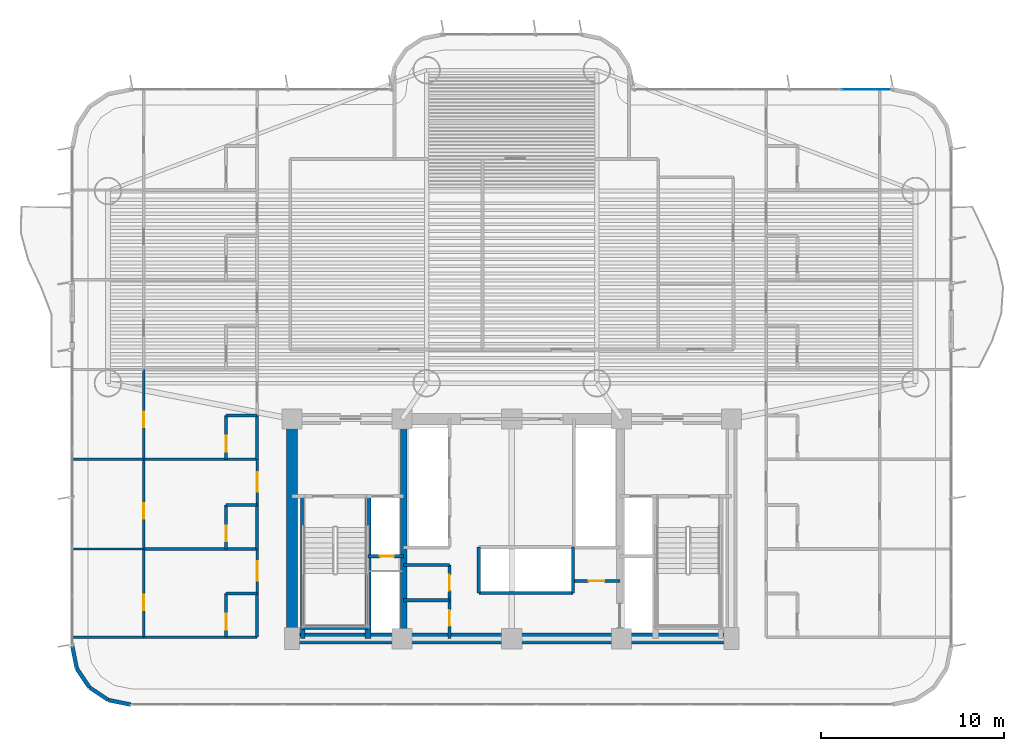
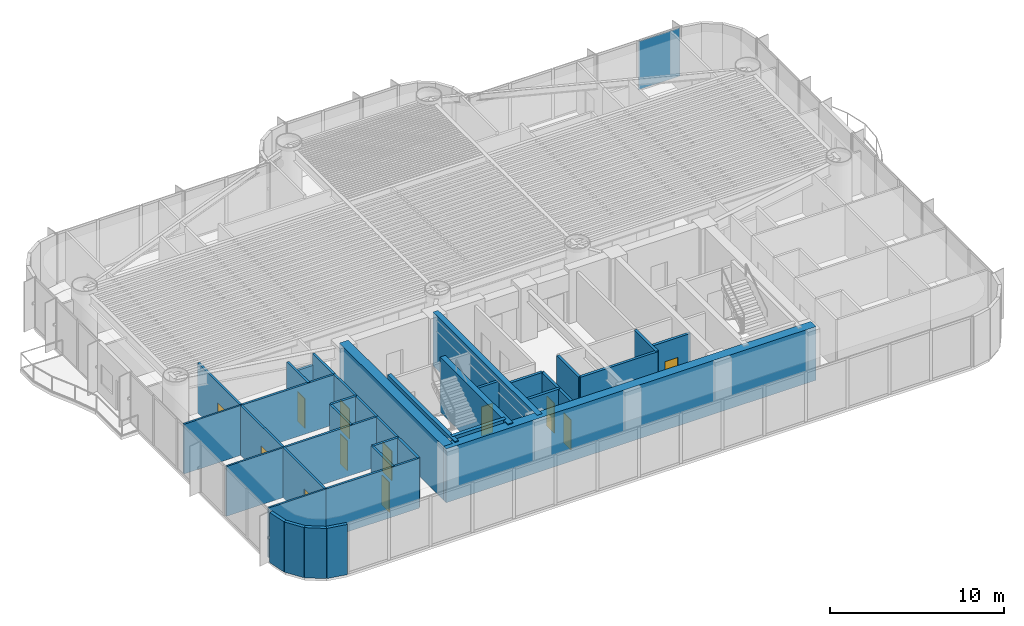
# One storey, part 10 of 19: 38 walls, 12 doors, 1 plate, 12 openings, 1 element without a shape of its own.
"""IFC4 building model written with IfcOpenShell, lengths in metres."""

from ifc_helpers import new_model, si_unit, direction, frame, frame_2d, origin, origin_2d, place, context, subcontext, project, spatial, rectangle, extrude, source, transform, mapped, material, layer, layer_set, type_object, element, fill, aggregate, save


model = new_model("IFC4")

# Units and contexts
model_context = context("Model", 3, precision=1e-05, world=origin(), true_north=direction((0.0, 1.0)))
body_context = subcontext(model_context, "Body", "Model", "MODEL_VIEW")
ifc_project = project(units=[si_unit("LENGTHUNIT", "METRE"), si_unit("AREAUNIT", "SQUARE_METRE"), si_unit("VOLUMEUNIT", "CUBIC_METRE"), si_unit("PLANEANGLEUNIT", "RADIAN"), si_unit("MASSUNIT", "GRAM", prefix="KILO")], contexts=[model_context])

# Site, building, storey
site_placement = place(None, origin())
site = spatial("IfcSite", under=ifc_project, at=site_placement, CompositionType="ELEMENT")
building_placement = place(site_placement, origin())
building = spatial("IfcBuilding", under=site, at=building_placement, Name="Brelvock Crest Care Tower", CompositionType="ELEMENT")
storey_placement = place(building_placement, frame((0.0, 0.0, 68.580078125)))
storey = spatial("IfcBuildingStorey", under=building, at=storey_placement, Name="L17", CompositionType="ELEMENT", Elevation=68.580078125)

# Curtain wall, plate
ifc_material_1 = material(Name="Dark Glass Double Glazed Low-E", Category="glass")
ifc_layer_1 = layer(ifc_material_1, 0.195068359375, Name="CWS-2")
ifc_layer_set_1 = layer_set([ifc_layer_1], Name="Dark Glass Double Glazed Low-E")
curtain_wall_type = type_object("IfcCurtainWallType", Name="CWS-2", PredefinedType="NOTDEFINED", material=ifc_layer_set_1)
curtain_wall_placement = place(storey_placement, origin())
curtain_wall = element("IfcCurtainWall", 1, at=curtain_wall_placement, inside=storey, type_object=curtain_wall_type, Name="L17 Curtain Wall E30", PredefinedType="NOTDEFINED")
ifc_layer_2 = layer(ifc_material_1, 0.031982421875, Name="CWP-V1")
ifc_layer_set_2 = layer_set([ifc_layer_2], Name="Dark Glass Double Glazed Low-E")
plate_type = type_object("IfcPlateType", Name="CWP-V1", PredefinedType="CURTAIN_PANEL", material=ifc_layer_set_2)
shared_shape_1 = source(origin(), body_context, "Body", "SweptSolid", [
    extrude(rectangle(XDim=2.742431640625, YDim=0.035888671875, at=origin_2d()), origin(), (0.0, 0.0, 1.0), 3.39990234375),
])
plate_placement = place(storey_placement, frame((55.36376953125, 36.0, 0.06494140625), z_axis=(0.0, 0.0, 1.0), x_axis=(1.0, 0.0, 0.0)))
plate = element("IfcPlate", 2, at=plate_placement, type_object=plate_type, Name="CW-2 panel 5.1", PredefinedType="CURTAIN_PANEL", context=body_context, shape_type="MappedRepresentation", body=[
    mapped(shared_shape_1, transform((0.0, 0.0, 0.0), x_axis=(1.0, 0.0, 0.0), y_axis=(0.0, 1.0, 0.0), z_axis=(0.0, 0.0, 1.0), scale=1.0)),
])
aggregate(curtain_wall, [plate])

# Walls
ifc_material_2 = material(Name="Concrete S80 (80 MPa)", Category="concrete")
ifc_layer_3 = layer(ifc_material_2, 0.60009765625, Name="WL-CS1")
ifc_layer_set_3 = layer_set([ifc_layer_3], Name="Concrete S80 (80 MPa)")
wall_type_1 = type_object("IfcWallType", Name="WL-CS1", PredefinedType="SHEAR", material=ifc_layer_set_3)
wall_1_placement = place(storey_placement, frame((48.300048828125, 6.0, 0.0), z_axis=(0.0, 0.0, 1.0), x_axis=(-1.0, 0.0, 0.0)))
element("IfcWall", 3, at=wall_1_placement, inside=storey, type_object=wall_type_1, Name="L17 Core South Shear Wall", PredefinedType="SHEAR", context=body_context, shape_type="SweptSolid", body=[
    extrude(rectangle(XDim=24.60009765625, YDim=0.60009765625, at=frame_2d((12.300048828125, 0.0))), origin(), (0.0, 0.0, 1.0), 3.780029296875),
])
wall_2_placement = place(storey_placement, frame((24.0, 6.0, 0.0), z_axis=(0.0, 0.0, 1.0), x_axis=(0.0, 1.0, 0.0)))
element("IfcWall", 4, at=wall_2_placement, inside=storey, type_object=wall_type_1, Name="L17 Core West Shear Wall", PredefinedType="SHEAR", context=body_context, shape_type="SweptSolid", body=[
    extrude(rectangle(XDim=12.0, YDim=0.60009765625, at=frame_2d((6.0, 0.0))), origin(), (0.0, 0.0, 1.0), 3.780029296875),
])
ifc_layer_4 = layer(ifc_material_2, 0.35009765625, Name="WL-CS5")
ifc_layer_set_4 = layer_set([ifc_layer_4], Name="Concrete S80 (80 MPa)")
wall_type_2 = type_object("IfcWallType", Name="WL-CS5", PredefinedType="SHEAR", material=ifc_layer_set_4)
wall_3_placement = place(storey_placement, frame((30.10009765625, 6.0, 0.0), z_axis=(0.0, 0.0, 1.0), x_axis=(0.0, 1.0, 0.0)))
element("IfcWall", 5, at=wall_3_placement, inside=storey, type_object=wall_type_2, Name="L17 Core Internal Web Wall West", PredefinedType="SHEAR", context=body_context, shape_type="SweptSolid", body=[
    extrude(rectangle(XDim=12.0, YDim=0.35009765625, at=frame_2d((6.0, 0.0))), origin(), (0.0, 0.0, 1.0), 3.780029296875),
])
wall_4_placement = place(storey_placement, frame((28.14990234375, 6.0, 0.0), z_axis=(0.0, 0.0, 1.0), x_axis=(0.0, 1.0, 0.0)))
element("IfcWall", 6, at=wall_4_placement, inside=storey, type_object=wall_type_2, Name="L17 Core Stair ST-1 East Shear Wall", PredefinedType="SHEAR", context=body_context, shape_type="SweptSolid", body=[
    extrude(rectangle(XDim=7.780029296875, YDim=0.35009765625, at=frame_2d((3.89013671875, 0.0))), origin(), (0.0, 0.0, 1.0), 3.849853515625),
])
ifc_layer_5 = layer(ifc_material_2, 0.25, Name="WL-CS6")
ifc_layer_set_5 = layer_set([ifc_layer_5], Name="Concrete S80 (80 MPa)")
wall_type_3 = type_object("IfcWallType", Name="WL-CS6", PredefinedType="SHEAR", material=ifc_layer_set_5)
wall_5_placement = place(storey_placement, frame((24.580078125, 6.0, 0.0), z_axis=(0.0, 0.0, 1.0), x_axis=(0.0, 1.0, 0.0)))
element("IfcWall", 7, at=wall_5_placement, inside=storey, type_object=wall_type_3, Name="L17 Core Stair ST-1 West Shear Wall", PredefinedType="SHEAR", context=body_context, shape_type="SweptSolid", body=[
    extrude(rectangle(XDim=7.780029296875, YDim=0.25, at=frame_2d((3.89013671875, 0.0))), origin(), (0.0, 0.0, 1.0), 3.849853515625),
])
wall_6_placement = place(storey_placement, frame((24.580078125, 6.6201171875, 0.0), z_axis=(0.0, 0.0, 1.0), x_axis=(1.0, 0.0, 0.0)))
element("IfcWall", 8, at=wall_6_placement, inside=storey, type_object=wall_type_3, Name="L17 Core Stair ST-1 South Shear Wall", PredefinedType="SHEAR", context=body_context, shape_type="SweptSolid", body=[
    extrude(rectangle(XDim=3.56982421875, YDim=0.25, at=frame_2d((1.784912109375, 0.0))), origin(), (0.0, 0.0, 1.0), 3.849853515625),
])
ifc_material_3 = material(Name="Precast concrete N40 (40 MPa)", Category="concrete")
ifc_layer_6 = layer(ifc_material_3, 0.215087890625, Name="WL-EX2")
ifc_layer_set_6 = layer_set([ifc_layer_6], Name="Precast concrete N40 (40 MPa)")
wall_type_4 = type_object("IfcWallType", Name="WL-EX2", PredefinedType="SOLIDWALL", material=ifc_layer_set_6)
for number, where, z_axis, x_axis, name in (
    (9, (15.199951171875, 2.39990234375, 0.0), (0.0, 0.0, 1.0), (-0.980775717779, 0.195138390419, 0.0), "L17 Rounded Corner Wall 09"),
    (10, (13.975341796875, 2.6435546875, 0.0), (0.0, 0.0, 1.0), (-0.831387912822, 0.555692485475, 0.0), "L17 Rounded Corner Wall 10"),
    (11, (12.937255859375, 3.33740234375, 0.0), (0.0, 0.0, 1.0), (-0.555557312883, 0.831478245117, 0.0), "L17 Rounded Corner Wall 11"),
    (12, (12.24365234375, 4.37548828125, 0.0), (0.0, 0.0, 1.0), (-0.195138390419, 0.980775717779, 0.0), "L17 Rounded Corner Wall 12"),
):
    element("IfcWall", number, at=place(storey_placement, frame(where, z_axis=z_axis, x_axis=x_axis)), inside=storey, type_object=wall_type_4, Name=name, PredefinedType="SOLIDWALL", context=body_context, shape_type="SweptSolid", body=[
        extrude(rectangle(XDim=1.24853515625, YDim=0.215087890625, at=frame_2d((0.624267578125, 0.0))), origin(), (0.0, 0.0, 1.0), 3.530029296875),
    ])
ifc_material_4 = material(Name="Masonry Blockwork Acoustic Partition", Category="masonry")
ifc_layer_7 = layer(ifc_material_4, 0.14990234375, Name="WL-INT1")
ifc_layer_set_7 = layer_set([ifc_layer_7], Name="Masonry Blockwork Acoustic Partition")
wall_type_5 = type_object("IfcWallType", Name="WL-INT1", PredefinedType="PARTITIONING", material=ifc_layer_set_7)
for number, where, z_axis, x_axis, name in (
    (13, (15.89990234375, 6.080078125, 0.0), (0.0, 0.0, 1.0), (1.0, 0.0, 0.0), "L17 Interior Wall WL-BX-L17-CS-WC1-S"),
    (14, (15.89990234375, 10.89990234375, 0.0), (0.0, 0.0, 1.0), (1.0, 0.0, 0.0), "L17 Interior Wall WL-BX-L17-CS-WC1-N"),
    (15, (15.89990234375, 15.800048828125, 0.0), (0.0, 0.0, 1.0), (1.0, 0.0, 0.0), "L17 Interior Wall WL-BX-L17-CS-WC2-N"),
):
    element("IfcWall", number, at=place(storey_placement, frame(where, z_axis=z_axis, x_axis=x_axis)), inside=storey, type_object=wall_type_5, Name=name, PredefinedType="PARTITIONING", context=body_context, shape_type="SweptSolid", body=[
        extrude(rectangle(XDim=6.2001953125, YDim=0.14990234375, at=frame_2d((3.10009765625, 0.0))), origin(), (0.0, 0.0, 1.0), 3.5),
    ])

# Wall, opening, door
wall_7_placement = place(storey_placement, frame((15.89990234375, 6.080078125, 0.0), z_axis=(0.0, 0.0, 1.0), x_axis=(0.0, 1.0, 0.0)))
wall_7 = element("IfcWall", 16, at=wall_7_placement, inside=storey, type_object=wall_type_5, Name="L17 Interior Wall WL-RM-L17-WC1S", PredefinedType="PARTITIONING", context=body_context, shape_type="SweptSolid", body=[
    extrude(rectangle(XDim=4.81982421875, YDim=0.14990234375, at=frame_2d((2.409912109375, 0.0))), origin(), (0.0, 0.0, 1.0), 3.5),
])
opening_1_placement = place(wall_7_placement, frame((1.4599609375, 0.0, 0.0)))
opening_1 = element("IfcOpeningElement", 17, at=opening_1_placement, cuts=wall_7, Name="Opening ID-1", PredefinedType="OPENING", context=body_context, shape_type="SweptSolid", body=[
    extrude(rectangle(XDim=0.860107421875, YDim=2.10009765625, at=origin_2d()), frame((0.43017578125, 0.0849609375, 1.050048828125), z_axis=(0.0, -1.0, 0.0), x_axis=(1.0, 0.0, 0.0)), (0.0, 0.0, 1.0), 0.169921875),
])
ifc_material_5 = material(Name="Engineered Hardwood Timber", Category="wood")
door_type_1 = type_object("IfcDoorType", Name="DR-INT1", OperationType="NOTDEFINED", PredefinedType="DOOR", material=ifc_material_5)
shared_shape_2 = source(origin(), body_context, "Body", "SweptSolid", [
    extrude(rectangle(XDim=0.860107421875, YDim=2.10009765625, at=origin_2d()), frame((0.43017578125, 0.02490234375, 1.050048828125), z_axis=(0.0, -1.0, 0.0), x_axis=(1.0, 0.0, 0.0)), (0.0, 0.0, 1.0), 0.050048828125),
])
door_1_placement = place(opening_1_placement, origin())
door_1 = element("IfcDoor", 18, at=door_1_placement, inside=storey, type_object=door_type_1, Name="L17 Skilled Nursing Mobility Store Door WC1S", OperationType="SINGLE_SWING_LEFT", OverallHeight=2.10009765625, OverallWidth=0.860107421875, PredefinedType="DOOR", context=body_context, shape_type="MappedRepresentation", body=[
    mapped(shared_shape_2, transform((0.0, 0.0, 0.0), x_axis=(1.0, 0.0, 0.0), y_axis=(0.0, 1.0, 0.0), z_axis=(0.0, 0.0, 1.0), scale=1.0)),
])
fill(opening_1, door_1)

wall_8_placement = place(storey_placement, frame((15.89990234375, 10.89990234375, 0.0), z_axis=(0.0, 0.0, 1.0), x_axis=(0.0, 1.0, 0.0)))
wall_8 = element("IfcWall", 19, at=wall_8_placement, inside=storey, type_object=wall_type_5, Name="L17 Interior Wall WL-RM-L17-WC2S", PredefinedType="PARTITIONING", context=body_context, shape_type="SweptSolid", body=[
    extrude(rectangle(XDim=4.900146484375, YDim=0.14990234375, at=frame_2d((2.4501953125, 0.0))), origin(), (0.0, 0.0, 1.0), 3.5),
])
opening_2_placement = place(wall_8_placement, frame((1.639892578125, 0.0, 0.0)))
opening_2 = element("IfcOpeningElement", 20, at=opening_2_placement, cuts=wall_8, Name="Opening ID-1", PredefinedType="OPENING", context=body_context, shape_type="SweptSolid", body=[
    extrude(rectangle(XDim=0.860107421875, YDim=2.10009765625, at=origin_2d()), frame((0.43017578125, 0.0849609375, 1.050048828125), z_axis=(0.0, -1.0, 0.0), x_axis=(1.0, 0.0, 0.0)), (0.0, 0.0, 1.0), 0.169921875),
])
door_2_placement = place(opening_2_placement, origin())
door_2 = element("IfcDoor", 21, at=door_2_placement, inside=storey, type_object=door_type_1, Name="L17 Skilled Nursing Mobility Store Door WC2S", OperationType="SINGLE_SWING_LEFT", OverallHeight=2.10009765625, OverallWidth=0.860107421875, PredefinedType="DOOR", context=body_context, shape_type="MappedRepresentation", body=[
    mapped(shared_shape_2, transform((0.0, 0.0, 0.0), x_axis=(1.0, 0.0, 0.0), y_axis=(0.0, 1.0, 0.0), z_axis=(0.0, 0.0, 1.0), scale=1.0)),
])
fill(opening_2, door_2)

wall_9_placement = place(storey_placement, frame((15.89990234375, 15.800048828125, 0.0), z_axis=(0.0, 0.0, 1.0), x_axis=(0.0, 1.0, 0.0)))
wall_9 = element("IfcWall", 22, at=wall_9_placement, inside=storey, type_object=wall_type_5, Name="L17 Interior Wall WL-RM-L17-WC3S", PredefinedType="PARTITIONING", context=body_context, shape_type="SweptSolid", body=[
    extrude(rectangle(XDim=4.89990234375, YDim=0.14990234375, at=frame_2d((2.449951171875, 0.0))), origin(), (0.0, 0.0, 1.0), 3.5),
])
opening_3_placement = place(wall_9_placement, frame((1.739990234375, 0.0, 0.0)))
opening_3 = element("IfcOpeningElement", 23, at=opening_3_placement, cuts=wall_9, Name="Opening ID-1", PredefinedType="OPENING", context=body_context, shape_type="SweptSolid", body=[
    extrude(rectangle(XDim=0.860107421875, YDim=2.10009765625, at=origin_2d()), frame((0.43017578125, 0.0849609375, 1.050048828125), z_axis=(0.0, -1.0, 0.0), x_axis=(1.0, 0.0, 0.0)), (0.0, 0.0, 1.0), 0.169921875),
])
door_3_placement = place(opening_3_placement, origin())
door_3 = element("IfcDoor", 24, at=door_3_placement, inside=storey, type_object=door_type_1, Name="L17 Skilled Nursing Mobility Store Door WC3S", OperationType="SINGLE_SWING_LEFT", OverallHeight=2.10009765625, OverallWidth=0.860107421875, PredefinedType="DOOR", context=body_context, shape_type="MappedRepresentation", body=[
    mapped(shared_shape_2, transform((0.0, 0.0, 0.0), x_axis=(1.0, 0.0, 0.0), y_axis=(0.0, 1.0, 0.0), z_axis=(0.0, 0.0, 1.0), scale=1.0)),
])
fill(opening_3, door_3)

wall_10_placement = place(storey_placement, frame((22.10009765625, 8.47998046875, 0.0), z_axis=(0.0, 0.0, 1.0), x_axis=(0.0, 1.0, 0.0)))
wall_10 = element("IfcWall", 25, at=wall_10_placement, inside=storey, type_object=wall_type_5, Name="L17 Interior Wall WL-CENT-L17-WC1", PredefinedType="PARTITIONING", context=body_context, shape_type="SweptSolid", body=[
    extrude(rectangle(XDim=2.419921875, YDim=0.14990234375, at=frame_2d((1.2099609375, 0.0))), origin(), (0.0, 0.0, 1.0), 3.5),
])
opening_4_placement = place(wall_10_placement, frame((0.68994140625, 0.0, 0.0)))
opening_4 = element("IfcOpeningElement", 26, at=opening_4_placement, cuts=wall_10, Name="Opening CD-1", PredefinedType="OPENING", context=body_context, shape_type="SweptSolid", body=[
    extrude(rectangle(XDim=1.050048828125, YDim=2.10009765625, at=origin_2d()), frame((0.52490234375, 0.0849609375, 1.050048828125), z_axis=(0.0, -1.0, 0.0), x_axis=(1.0, 0.0, 0.0)), (0.0, 0.0, 1.0), 0.169921875),
])
door_type_2 = type_object("IfcDoorType", Name="DR-CARE1", OperationType="NOTDEFINED", PredefinedType="DOOR", material=ifc_material_5)
shared_shape_3 = source(origin(), body_context, "Body", "SweptSolid", [
    extrude(rectangle(XDim=1.050048828125, YDim=2.10009765625, at=origin_2d()), frame((0.52490234375, 0.02490234375, 1.050048828125), z_axis=(0.0, -1.0, 0.0), x_axis=(1.0, 0.0, 0.0)), (0.0, 0.0, 1.0), 0.050048828125),
])
door_4_placement = place(opening_4_placement, origin())
door_4 = element("IfcDoor", 27, at=door_4_placement, inside=storey, type_object=door_type_2, Name="L17 Care Suite Door WC1", OperationType="SINGLE_SWING_LEFT", OverallHeight=2.10009765625, OverallWidth=1.050048828125, PredefinedType="DOOR", context=body_context, shape_type="MappedRepresentation", body=[
    mapped(shared_shape_3, transform((0.0, 0.0, 0.0), x_axis=(1.0, 0.0, 0.0), y_axis=(0.0, 1.0, 0.0), z_axis=(0.0, 0.0, 1.0), scale=1.0)),
])
fill(opening_4, door_4)

wall_11_placement = place(storey_placement, frame((22.10009765625, 13.300048828125, 0.0), z_axis=(0.0, 0.0, 1.0), x_axis=(0.0, 1.0, 0.0)))
wall_11 = element("IfcWall", 28, at=wall_11_placement, inside=storey, type_object=wall_type_5, Name="L17 Interior Wall WL-CENT-L17-WC2", PredefinedType="PARTITIONING", context=body_context, shape_type="SweptSolid", body=[
    extrude(rectangle(XDim=2.5, YDim=0.14990234375, at=frame_2d((1.25, 0.0))), origin(), (0.0, 0.0, 1.0), 3.5),
])
opening_5_placement = place(wall_11_placement, frame((0.72998046875, 0.0, 0.0)))
opening_5 = element("IfcOpeningElement", 29, at=opening_5_placement, cuts=wall_11, Name="Opening CD-1", PredefinedType="OPENING", context=body_context, shape_type="SweptSolid", body=[
    extrude(rectangle(XDim=1.050048828125, YDim=2.10009765625, at=origin_2d()), frame((0.52490234375, 0.0849609375, 1.050048828125), z_axis=(0.0, -1.0, 0.0), x_axis=(1.0, 0.0, 0.0)), (0.0, 0.0, 1.0), 0.169921875),
])
door_5_placement = place(opening_5_placement, origin())
door_5 = element("IfcDoor", 30, at=door_5_placement, inside=storey, type_object=door_type_2, Name="L17 Care Suite Door WC2", OperationType="SINGLE_SWING_LEFT", OverallHeight=2.10009765625, OverallWidth=1.050048828125, PredefinedType="DOOR", context=body_context, shape_type="MappedRepresentation", body=[
    mapped(shared_shape_3, transform((0.0, 0.0, 0.0), x_axis=(1.0, 0.0, 0.0), y_axis=(0.0, 1.0, 0.0), z_axis=(0.0, 0.0, 1.0), scale=1.0)),
])
fill(opening_5, door_5)

# Walls
ifc_material_6 = material(Name="Gypsum Plasterboard Partition", Category="gypsum")
ifc_layer_8 = layer(ifc_material_6, 0.1201171875, Name="WL-INT2")
ifc_layer_set_8 = layer_set([ifc_layer_8], Name="Gypsum Plasterboard Partition")
wall_type_6 = type_object("IfcWallType", Name="WL-INT2", PredefinedType="PARTITIONING", material=ifc_layer_set_8)
for number, where, z_axis, x_axis, name in (
    (31, (12.080078125, 6.080078125, 0.0), (0.0, 0.0, 1.0), (1.0, 0.0, 0.0), "L17 Interior Wall WL-BX-L17-WC1S-S"),
    (32, (12.080078125, 10.89990234375, 0.0), (0.0, 0.0, 1.0), (1.0, 0.0, 0.0), "L17 Interior Wall WL-BX-L17-WC1S-N"),
    (33, (12.080078125, 15.800048828125, 0.0), (0.0, 0.0, 1.0), (1.0, 0.0, 0.0), "L17 Interior Wall WL-BX-L17-WC2S-N"),
):
    element("IfcWall", number, at=place(storey_placement, frame(where, z_axis=z_axis, x_axis=x_axis)), inside=storey, type_object=wall_type_6, Name=name, PredefinedType="PARTITIONING", context=body_context, shape_type="SweptSolid", body=[
        extrude(rectangle(XDim=3.81982421875, YDim=0.1201171875, at=frame_2d((1.909912109375, 0.0))), origin(), (0.0, 0.0, 1.0), 3.5),
    ])
ifc_layer_9 = layer(ifc_material_6, 0.159912109375, Name="WL-PLM1")
ifc_layer_set_9 = layer_set([ifc_layer_9], Name="Gypsum Plasterboard Partition")
wall_type_7 = type_object("IfcWallType", Name="WL-PLM1", PredefinedType="PLUMBINGWALL", material=ifc_layer_set_9)
for number, where, z_axis, x_axis, name in (
    (34, (20.39990234375, 8.47998046875, 0.0), (0.0, 0.0, 1.0), (1.0, 0.0, 0.0), "L17 Interior Wall WL-CENS2-L17-WC1"),
    (35, (20.39990234375, 13.300048828125, 0.0), (0.0, 0.0, 1.0), (1.0, 0.0, 0.0), "L17 Interior Wall WL-CENS2-L17-WC2"),
):
    element("IfcWall", number, at=place(storey_placement, frame(where, z_axis=z_axis, x_axis=x_axis)), inside=storey, type_object=wall_type_7, Name=name, PredefinedType="PLUMBINGWALL", context=body_context, shape_type="SweptSolid", body=[
        extrude(rectangle(XDim=1.7001953125, YDim=0.159912109375, at=frame_2d((0.85009765625, 0.0))), origin(), (0.0, 0.0, 1.0), 3.5),
    ])
wall_12_placement = place(storey_placement, frame((20.39990234375, 18.199951171875, 0.0), z_axis=(0.0, 0.0, 1.0), x_axis=(1.0, 0.0, 0.0)))
element("IfcWall", 36, at=wall_12_placement, inside=storey, type_object=wall_type_7, Name="L17 Interior Wall WL-CENS2-L17-WC3", PredefinedType="PLUMBINGWALL", context=body_context, shape_type="SweptSolid", body=[
    extrude(rectangle(XDim=1.7001953125, YDim=0.159912109375, at=frame_2d((0.85009765625, 0.0))), origin(), (0.0, 0.0, 1.0), 2.71484375),
])

# Wall, opening, door
wall_13_placement = place(storey_placement, frame((20.39990234375, 6.080078125, 0.0), z_axis=(0.0, 0.0, 1.0), x_axis=(0.0, 1.0, 0.0)))
wall_13 = element("IfcWall", 37, at=wall_13_placement, inside=storey, type_object=wall_type_7, Name="L17 Interior Wall WL-CENS1-L17-WC1", PredefinedType="PLUMBINGWALL", context=body_context, shape_type="SweptSolid", body=[
    extrude(rectangle(XDim=2.39990234375, YDim=0.159912109375, at=frame_2d((1.199951171875, 0.0))), origin(), (0.0, 0.0, 1.0), 3.5),
])
opening_6_placement = place(wall_13_placement, frame((0.419921875, 0.0, 0.0)))
opening_6 = element("IfcOpeningElement", 38, at=opening_6_placement, cuts=wall_13, Name="Opening WD-1", PredefinedType="OPENING", context=body_context, shape_type="SweptSolid", body=[
    extrude(rectangle(XDim=0.860107421875, YDim=2.10009765625, at=origin_2d()), frame((0.43017578125, 0.08984375, 1.050048828125), z_axis=(0.0, -1.0, 0.0), x_axis=(1.0, 0.0, 0.0)), (0.0, 0.0, 1.0), 0.179931640625),
])
door_type_3 = type_object("IfcDoorType", Name="DR-WC1", OperationType="NOTDEFINED", PredefinedType="DOOR", material=ifc_material_5)
shared_shape_4 = source(origin(), body_context, "Body", "SweptSolid", [
    extrude(rectangle(XDim=0.860107421875, YDim=2.10009765625, at=origin_2d()), frame((0.43017578125, 0.02490234375, 1.050048828125), z_axis=(0.0, -1.0, 0.0), x_axis=(1.0, 0.0, 0.0)), (0.0, 0.0, 1.0), 0.050048828125),
])
door_6_placement = place(opening_6_placement, origin())
door_6 = element("IfcDoor", 39, at=door_6_placement, inside=storey, type_object=door_type_3, Name="L17 Care En-Suite Door WC1", OperationType="SINGLE_SWING_LEFT", OverallHeight=2.10009765625, OverallWidth=0.860107421875, PredefinedType="DOOR", context=body_context, shape_type="MappedRepresentation", body=[
    mapped(shared_shape_4, transform((0.0, 0.0, 0.0), x_axis=(1.0, 0.0, 0.0), y_axis=(0.0, 1.0, 0.0), z_axis=(0.0, 0.0, 1.0), scale=1.0)),
])
fill(opening_6, door_6)

wall_14_placement = place(storey_placement, frame((20.39990234375, 10.89990234375, 0.0), z_axis=(0.0, 0.0, 1.0), x_axis=(0.0, 1.0, 0.0)))
wall_14 = element("IfcWall", 40, at=wall_14_placement, inside=storey, type_object=wall_type_7, Name="L17 Interior Wall WL-CENS1-L17-WC2", PredefinedType="PLUMBINGWALL", context=body_context, shape_type="SweptSolid", body=[
    extrude(rectangle(XDim=2.400146484375, YDim=0.159912109375, at=frame_2d((1.2001953125, 0.0))), origin(), (0.0, 0.0, 1.0), 3.5),
])
opening_7_placement = place(wall_14_placement, frame((0.419921875, 0.0, 0.0)))
opening_7 = element("IfcOpeningElement", 41, at=opening_7_placement, cuts=wall_14, Name="Opening WD-1", PredefinedType="OPENING", context=body_context, shape_type="SweptSolid", body=[
    extrude(rectangle(XDim=0.860107421875, YDim=2.10009765625, at=origin_2d()), frame((0.43017578125, 0.08984375, 1.050048828125), z_axis=(0.0, -1.0, 0.0), x_axis=(1.0, 0.0, 0.0)), (0.0, 0.0, 1.0), 0.179931640625),
])
door_7_placement = place(opening_7_placement, origin())
door_7 = element("IfcDoor", 42, at=door_7_placement, inside=storey, type_object=door_type_3, Name="L17 Care En-Suite Door WC2", OperationType="SINGLE_SWING_LEFT", OverallHeight=2.10009765625, OverallWidth=0.860107421875, PredefinedType="DOOR", context=body_context, shape_type="MappedRepresentation", body=[
    mapped(shared_shape_4, transform((0.0, 0.0, 0.0), x_axis=(1.0, 0.0, 0.0), y_axis=(0.0, 1.0, 0.0), z_axis=(0.0, 0.0, 1.0), scale=1.0)),
])
fill(opening_7, door_7)

wall_15_placement = place(storey_placement, frame((20.39990234375, 15.800048828125, 0.0), z_axis=(0.0, 0.0, 1.0), x_axis=(0.0, 1.0, 0.0)))
wall_15 = element("IfcWall", 43, at=wall_15_placement, inside=storey, type_object=wall_type_7, Name="L17 Interior Wall WL-CENS1-L17-WC3", PredefinedType="PLUMBINGWALL", context=body_context, shape_type="SweptSolid", body=[
    extrude(rectangle(XDim=2.39990234375, YDim=0.159912109375, at=frame_2d((1.199951171875, 0.0))), origin(), (0.0, 0.0, 1.0), 3.5),
])
opening_8_placement = place(wall_15_placement, frame((0.419921875, 0.0, 0.0)))
opening_8 = element("IfcOpeningElement", 44, at=opening_8_placement, cuts=wall_15, Name="Opening WD-1", PredefinedType="OPENING", context=body_context, shape_type="SweptSolid", body=[
    extrude(rectangle(XDim=0.860107421875, YDim=2.10009765625, at=origin_2d()), frame((0.43017578125, 0.08984375, 1.050048828125), z_axis=(0.0, -1.0, 0.0), x_axis=(1.0, 0.0, 0.0)), (0.0, 0.0, 1.0), 0.179931640625),
])
door_8_placement = place(opening_8_placement, origin())
door_8 = element("IfcDoor", 45, at=door_8_placement, inside=storey, type_object=door_type_3, Name="L17 Care En-Suite Door WC3", OperationType="SINGLE_SWING_LEFT", OverallHeight=2.10009765625, OverallWidth=0.860107421875, PredefinedType="DOOR", context=body_context, shape_type="MappedRepresentation", body=[
    mapped(shared_shape_4, transform((0.0, 0.0, 0.0), x_axis=(1.0, 0.0, 0.0), y_axis=(0.0, 1.0, 0.0), z_axis=(0.0, 0.0, 1.0), scale=1.0)),
])
fill(opening_8, door_8)

# Walls
wall_16_placement = place(storey_placement, frame((22.10009765625, 6.080078125, 0.0), z_axis=(0.0, 0.0, 1.0), x_axis=(0.0, 1.0, 0.0)))
element("IfcWall", 46, at=wall_16_placement, inside=storey, type_object=wall_type_7, Name="L17 Interior Wall WL-CENS0-L17-WC1", PredefinedType="PLUMBINGWALL", context=body_context, shape_type="SweptSolid", body=[
    extrude(rectangle(XDim=2.39990234375, YDim=0.159912109375, at=frame_2d((1.199951171875, 0.0))), origin(), (0.0, 0.0, 1.0), 3.5),
])
wall_17_placement = place(storey_placement, frame((22.10009765625, 10.89990234375, 0.0), z_axis=(0.0, 0.0, 1.0), x_axis=(0.0, 1.0, 0.0)))
element("IfcWall", 47, at=wall_17_placement, inside=storey, type_object=wall_type_7, Name="L17 Interior Wall WL-CENS0-L17-WC2", PredefinedType="PLUMBINGWALL", context=body_context, shape_type="SweptSolid", body=[
    extrude(rectangle(XDim=2.400146484375, YDim=0.159912109375, at=frame_2d((1.2001953125, 0.0))), origin(), (0.0, 0.0, 1.0), 3.5),
])
wall_18_placement = place(storey_placement, frame((22.10009765625, 15.800048828125, 0.0), z_axis=(0.0, 0.0, 1.0), x_axis=(0.0, 1.0, 0.0)))
element("IfcWall", 48, at=wall_18_placement, inside=storey, type_object=wall_type_7, Name="L17 Interior Wall WL-CENS0-L17-WC3", PredefinedType="PLUMBINGWALL", context=body_context, shape_type="SweptSolid", body=[
    extrude(rectangle(XDim=2.39990234375, YDim=0.159912109375, at=frame_2d((1.199951171875, 0.0))), origin(), (0.0, 0.0, 1.0), 3.5),
])
ifc_layer_10 = layer(ifc_material_4, 0.179931640625, Name="WL-SHF1")
ifc_layer_set_10 = layer_set([ifc_layer_10], Name="Masonry Blockwork Acoustic Partition")
wall_type_8 = type_object("IfcWallType", Name="WL-SHF1", PredefinedType="PARTITIONING", material=ifc_layer_set_10)
wall_19_placement = place(storey_placement, frame((34.199951171875, 8.5, 0.0), z_axis=(0.0, 0.0, 1.0), x_axis=(1.0, 0.0, 0.0)))
element("IfcWall", 49, at=wall_19_placement, inside=storey, type_object=wall_type_8, Name="L17 Interior Wall WL-PLM-S-L17", PredefinedType="PARTITIONING", context=body_context, shape_type="SweptSolid", body=[
    extrude(rectangle(XDim=5.150146484375, YDim=0.179931640625, at=frame_2d((2.5751953125, 0.0))), origin(), (0.0, 0.0, 1.0), 3.5),
])
for number, where, z_axis, x_axis, name in (
    (50, (34.199951171875, 8.5, 0.0), (0.0, 0.0, 1.0), (0.0, 1.0, 0.0), "L17 Interior Wall WL-PLM-W-L17"),
    (51, (39.35009765625, 8.5, 0.0), (0.0, 0.0, 1.0), (0.0, 1.0, 0.0), "L17 Interior Wall WL-PLM-E-L17"),
    (52, (30.10009765625, 8.10009765625, 0.0), (0.0, 0.0, 1.0), (1.0, 0.0, 0.0), "L17 Interior Wall WL-CSBW-SP-L17"),
    (53, (30.10009765625, 10.02001953125, 0.0), (0.0, 0.0, 1.0), (1.0, 0.0, 0.0), "L17 Interior Wall WL-CSBW-N2-L17"),
):
    element("IfcWall", number, at=place(storey_placement, frame(where, z_axis=z_axis, x_axis=x_axis)), inside=storey, type_object=wall_type_8, Name=name, PredefinedType="PARTITIONING", context=body_context, shape_type="SweptSolid", body=[
        extrude(rectangle(XDim=2.5, YDim=0.179931640625, at=frame_2d((1.25, 0.0))), origin(), (0.0, 0.0, 1.0), 3.5),
    ])

# Wall, openings, doors
wall_20_placement = place(storey_placement, frame((32.60009765625, 6.0, 0.0), z_axis=(0.0, 0.0, 1.0), x_axis=(0.0, 1.0, 0.0)))
wall_20 = element("IfcWall", 54, at=wall_20_placement, inside=storey, type_object=wall_type_8, Name="L17 Interior Wall WL-CSBW-E-L17", PredefinedType="PARTITIONING", context=body_context, shape_type="SweptSolid", body=[
    extrude(rectangle(XDim=4.02001953125, YDim=0.179931640625, at=frame_2d((2.010009765625, 0.0))), origin(), (0.0, 0.0, 1.0), 3.5),
])
opening_9_placement = place(wall_20_placement, frame((0.699951171875, 0.0, 0.0)))
opening_9 = element("IfcOpeningElement", 55, at=opening_9_placement, cuts=wall_20, Name="Opening ID-1", PredefinedType="OPENING", context=body_context, shape_type="SweptSolid", body=[
    extrude(rectangle(XDim=0.860107421875, YDim=2.10009765625, at=origin_2d()), frame((0.43017578125, 0.10009765625, 1.050048828125), z_axis=(0.0, -1.0, 0.0), x_axis=(1.0, 0.0, 0.0)), (0.0, 0.0, 1.0), 0.199951171875),
])
opening_10_placement = place(wall_20_placement, frame((2.6201171875, 0.0, 0.0)))
opening_10 = element("IfcOpeningElement", 56, at=opening_10_placement, cuts=wall_20, Name="Opening ID-1", PredefinedType="OPENING", context=body_context, shape_type="SweptSolid", body=[
    extrude(rectangle(XDim=0.860107421875, YDim=2.10009765625, at=origin_2d()), frame((0.43017578125, 0.10009765625, 1.050048828125), z_axis=(0.0, -1.0, 0.0), x_axis=(1.0, 0.0, 0.0)), (0.0, 0.0, 1.0), 0.199951171875),
])
door_9_placement = place(opening_9_placement, origin())
door_9 = element("IfcDoor", 57, at=door_9_placement, inside=storey, type_object=door_type_1, Name="DR-CSBW1-L17", OperationType="SINGLE_SWING_LEFT", OverallHeight=2.10009765625, OverallWidth=0.860107421875, PredefinedType="DOOR", context=body_context, shape_type="MappedRepresentation", body=[
    mapped(shared_shape_2, transform((0.0, 0.0, 0.0), x_axis=(1.0, 0.0, 0.0), y_axis=(0.0, 1.0, 0.0), z_axis=(0.0, 0.0, 1.0), scale=1.0)),
])
fill(opening_9, door_9)
door_10_placement = place(opening_10_placement, origin())
door_10 = element("IfcDoor", 58, at=door_10_placement, inside=storey, type_object=door_type_1, Name="DR-CSBW2-L17", OperationType="SINGLE_SWING_RIGHT", OverallHeight=2.10009765625, OverallWidth=0.860107421875, PredefinedType="DOOR", context=body_context, shape_type="MappedRepresentation", body=[
    mapped(shared_shape_2, transform((0.0, 0.0, 0.0), x_axis=(1.0, 0.0, 0.0), y_axis=(0.0, 1.0, 0.0), z_axis=(0.0, 0.0, 1.0), scale=1.0)),
])
fill(opening_10, door_10)

# Wall, opening, door
wall_21_placement = place(storey_placement, frame((39.35009765625, 9.14990234375, 0.0), z_axis=(0.0, 0.0, 1.0), x_axis=(1.0, 0.0, 0.0)))
wall_21 = element("IfcWall", 59, at=wall_21_placement, inside=storey, type_object=wall_type_8, Name="L17 Interior Wall WL-CSBE-S-L17", PredefinedType="PARTITIONING", context=body_context, shape_type="SweptSolid", body=[
    extrude(rectangle(XDim=2.5498046875, YDim=0.179931640625, at=frame_2d((1.27490234375, 0.0))), origin(), (0.0, 0.0, 1.0), 3.5),
])
opening_11_placement = place(wall_21_placement, frame((0.85009765625, 0.0, 0.0)))
opening_11 = element("IfcOpeningElement", 60, at=opening_11_placement, cuts=wall_21, Name="Opening ID-1", PredefinedType="OPENING", context=body_context, shape_type="SweptSolid", body=[
    extrude(rectangle(XDim=0.860107421875, YDim=2.10009765625, at=origin_2d()), frame((0.43017578125, 0.10009765625, 1.050048828125), z_axis=(0.0, -1.0, 0.0), x_axis=(1.0, 0.0, 0.0)), (0.0, 0.0, 1.0), 0.199951171875),
])
door_11_placement = place(opening_11_placement, origin())
door_11 = element("IfcDoor", 61, at=door_11_placement, inside=storey, type_object=door_type_1, Name="DR-CSBE-L17", OperationType="SINGLE_SWING_LEFT", OverallHeight=2.10009765625, OverallWidth=0.860107421875, PredefinedType="DOOR", context=body_context, shape_type="MappedRepresentation", body=[
    mapped(shared_shape_2, transform((0.0, 0.0, 0.0), x_axis=(1.0, 0.0, 0.0), y_axis=(0.0, 1.0, 0.0), z_axis=(0.0, 0.0, 1.0), scale=1.0)),
])
fill(opening_11, door_11)

wall_22_placement = place(storey_placement, frame((28.14990234375, 10.5, 0.0), z_axis=(0.0, 0.0, 1.0), x_axis=(1.0, 0.0, 0.0)))
wall_22 = element("IfcWall", 62, at=wall_22_placement, inside=storey, type_object=wall_type_8, Name="L17 Interior Wall WL-FFH1-S-L17", PredefinedType="PARTITIONING", context=body_context, shape_type="SweptSolid", body=[
    extrude(rectangle(XDim=1.9501953125, YDim=0.179931640625, at=frame_2d((0.97509765625, 0.0))), origin(), (0.0, 0.0, 1.0), 3.5),
])
opening_12_placement = place(wall_22_placement, frame((0.64990234375, 0.0, 0.0)))
opening_12 = element("IfcOpeningElement", 63, at=opening_12_placement, cuts=wall_22, Name="Opening RD-1", PredefinedType="OPENING", context=body_context, shape_type="SweptSolid", body=[
    extrude(rectangle(XDim=0.760009765625, YDim=2.050048828125, at=origin_2d()), frame((0.3798828125, 0.10009765625, 1.02490234375), z_axis=(0.0, -1.0, 0.0), x_axis=(1.0, 0.0, 0.0)), (0.0, 0.0, 1.0), 0.199951171875),
])
ifc_material_7 = material(Name="Steel Grade 350", Category="steel")
door_type_4 = type_object("IfcDoorType", Name="DR-RIS1", OperationType="NOTDEFINED", PredefinedType="DOOR", material=ifc_material_7)
shared_shape_5 = source(origin(), body_context, "Body", "SweptSolid", [
    extrude(rectangle(XDim=0.760009765625, YDim=2.050048828125, at=origin_2d()), frame((0.3798828125, 0.02490234375, 1.02490234375), z_axis=(0.0, -1.0, 0.0), x_axis=(1.0, 0.0, 0.0)), (0.0, 0.0, 1.0), 0.050048828125),
])
door_12_placement = place(opening_12_placement, origin())
door_12 = element("IfcDoor", 64, at=door_12_placement, inside=storey, type_object=door_type_4, Name="L17 Wet Fire Riser Access Door", OperationType="SINGLE_SWING_LEFT", OverallHeight=2.050048828125, OverallWidth=0.760009765625, PredefinedType="DOOR", context=body_context, shape_type="MappedRepresentation", body=[
    mapped(shared_shape_5, transform((0.0, 0.0, 0.0), x_axis=(1.0, 0.0, 0.0), y_axis=(0.0, 1.0, 0.0), z_axis=(0.0, 0.0, 1.0), scale=1.0)),
])
fill(opening_12, door_12)

save(model, "model.ifc")
